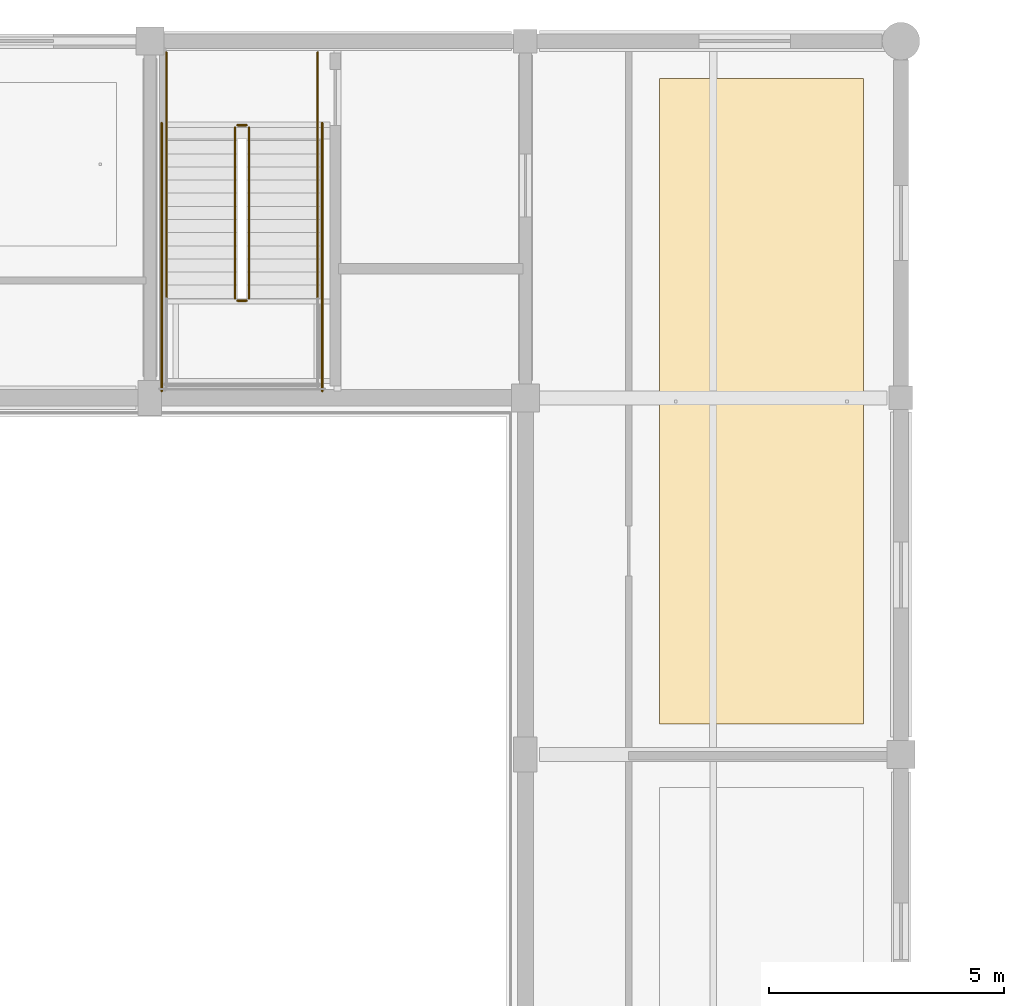
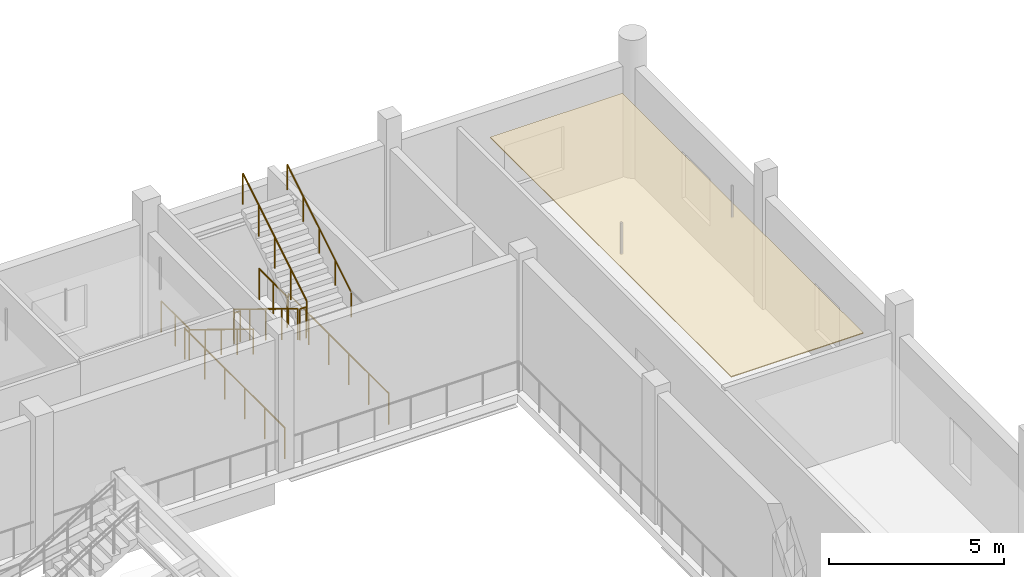
# One storey, part 141 of 147: 10 railings, 1 covering.
"""IFC4 building model written with IfcOpenShell, lengths in metres."""

from ifc_helpers import new_model, si_unit, direction, frame, origin, origin_2d, place, context, subcontext, project, spatial, polyline, circle, outline, extrude, material, layer, layer_set, type_object, element, save


model = new_model("IFC4")

# Units and contexts
model_context = context("Model", 3, precision=1e-05, world=origin(), true_north=direction((0.0, 1.0)))
body_context = subcontext(model_context, "Body", "Model", "MODEL_VIEW")
ifc_project = project(units=[si_unit("LENGTHUNIT", "METRE"), si_unit("AREAUNIT", "SQUARE_METRE"), si_unit("VOLUMEUNIT", "CUBIC_METRE"), si_unit("PLANEANGLEUNIT", "RADIAN"), si_unit("MASSUNIT", "GRAM", prefix="KILO")], contexts=[model_context])

# Site, building, storey
site_placement = place(None, origin())
site = spatial("IfcSite", under=ifc_project, at=site_placement, CompositionType="ELEMENT")
building_placement = place(site_placement, origin())
building = spatial("IfcBuilding", under=site, at=building_placement, Name="Khelvaren Railside Concert Hall", CompositionType="ELEMENT")
storey_placement = place(building_placement, frame((0.0, 0.0, 5.39990234375)))
storey = spatial("IfcBuildingStorey", under=building, at=storey_placement, Name="L01", CompositionType="ELEMENT", Elevation=5.39990234375)

# Covering
ifc_material_1 = material(Name="Micro-perforated timber acoustic ceiling", Category="wood")
ifc_layer = layer(ifc_material_1, 0.030029296875)
ifc_layer_set = layer_set([ifc_layer], Name="Micro-perforated timber acoustic ceiling")
covering_type = type_object("IfcCoveringType", Name="CLG77", PredefinedType="CEILING", material=ifc_layer_set)
covering_placement = place(storey_placement, frame((0.0, 0.0, 3.420166015625)))
element("IfcCovering", 1, at=covering_placement, inside=storey, type_object=covering_type, Name="Suspended Acoustic Ceiling Early-Music Manuscript Preparation Room L01", PredefinedType="CEILING", context=body_context, shape_type="SweptSolid", body=[
    extrude(outline(polyline([(42.85009765625, 99.449951171875), (47.199951171875, 99.449951171875), (47.199951171875, 113.199951171875), (42.85009765625, 113.199951171875), (42.85009765625, 99.449951171875)])), origin(), (0.0, 0.0, 1.0), 0.030029296875),
])

# Railings
ifc_material_2 = material(Name="Painted architectural steel", Category="steel")
railing_type_1 = type_object("IfcRailingType", Name="GRD86", PredefinedType="GUARDRAIL", material=ifc_material_2)
railing_1_placement = place(storey_placement, frame((33.81005859375, 112.159912109375, 0.171630859375)))
element("IfcRailing", 2, at=railing_1_placement, inside=storey, type_object=railing_type_1, Name="L01 ST-08 stair guard 1", PredefinedType="GUARDRAIL", context=body_context, shape_type="SweptSolid", body=[
    extrude(circle(Radius=0.02392578125, at=origin_2d()), frame((0.0, 0.0, 1.076171875), z_axis=(0.0, -0.852850264322, 0.5221555579), x_axis=(1.0, 0.0, 0.0)), (0.0, 0.0, 1.0), 4.267822265625),
    extrude(circle(Radius=0.02099609375, at=origin_2d()), origin(), (0.0, 0.0, 1.0), 1.052001953125),
    extrude(circle(Radius=0.02099609375, at=origin_2d()), frame((0.0, -0.909912109375, 0.55712890625)), (0.0, 0.0, 1.0), 1.052001953125),
    extrude(circle(Radius=0.02099609375, at=origin_2d()), frame((0.0, -1.81982421875, 1.1142578125)), (0.0, 0.0, 1.0), 1.052001953125),
    extrude(circle(Radius=0.02099609375, at=origin_2d()), frame((0.0, -2.72998046875, 1.67138671875)), (0.0, 0.0, 1.0), 1.052001953125),
    extrude(circle(Radius=0.02099609375, at=origin_2d()), frame((0.0, -3.639892578125, 2.228515625)), (0.0, 0.0, 1.0), 1.052001953125),
])
railing_2_placement = place(storey_placement, frame((33.860107421875, 108.469970703125, 2.400146484375)))
element("IfcRailing", 3, at=railing_2_placement, inside=storey, type_object=railing_type_1, Name="L01 ST-08 stair guard 2", PredefinedType="GUARDRAIL", context=body_context, shape_type="SweptSolid", body=[
    extrude(circle(Radius=0.02392578125, at=origin_2d()), frame((0.0, 0.0, 1.076171875), z_axis=(1.0, 0.0, 0.0), x_axis=(0.0, 1.0, 0.0)), (0.0, 0.0, 1.0), 0.199951171875),
    extrude(circle(Radius=0.02099609375, at=origin_2d()), origin(), (0.0, 0.0, 1.0), 1.052001953125),
    extrude(circle(Radius=0.02099609375, at=origin_2d()), frame((0.199951171875, 0.0, 0.0)), (0.0, 0.0, 1.0), 1.052001953125),
])
railing_3_placement = place(storey_placement, frame((34.110107421875, 108.52001953125, 2.571533203125)))
element("IfcRailing", 4, at=railing_3_placement, inside=storey, type_object=railing_type_1, Name="L01 ST-08 stair guard 6", PredefinedType="GUARDRAIL", context=body_context, shape_type="SweptSolid", body=[
    extrude(circle(Radius=0.02392578125, at=origin_2d()), frame((0.0, 0.0, 1.076171875), z_axis=(0.0, 0.852850264322, 0.5221555579), x_axis=(-1.0, 0.0, 0.0)), (0.0, 0.0, 1.0), 4.267822265625),
    extrude(circle(Radius=0.02099609375, at=origin_2d()), origin(), (0.0, 0.0, 1.0), 1.052001953125),
    extrude(circle(Radius=0.02099609375, at=origin_2d()), frame((0.0, 0.909912109375, 0.55712890625)), (0.0, 0.0, 1.0), 1.052001953125),
    extrude(circle(Radius=0.02099609375, at=origin_2d()), frame((0.0, 1.81982421875, 1.1142578125)), (0.0, 0.0, 1.0), 1.052001953125),
    extrude(circle(Radius=0.02099609375, at=origin_2d()), frame((0.0, 2.72998046875, 1.67138671875)), (0.0, 0.0, 1.0), 1.052001953125),
    extrude(circle(Radius=0.02099609375, at=origin_2d()), frame((0.0, 3.639892578125, 2.228515625)), (0.0, 0.0, 1.0), 1.052001953125),
])
railing_4_placement = place(storey_placement, frame((33.860107421875, 112.2099609375, 0.0)))
element("IfcRailing", 5, at=railing_4_placement, inside=storey, type_object=railing_type_1, Name="L01 ST-08 stair guard 7", PredefinedType="GUARDRAIL", context=body_context, shape_type="SweptSolid", body=[
    extrude(circle(Radius=0.02392578125, at=origin_2d()), frame((0.0, 0.0, 1.076171875), z_axis=(1.0, 0.0, 0.0), x_axis=(0.0, 1.0, 0.0)), (0.0, 0.0, 1.0), 0.199951171875),
    extrude(circle(Radius=0.02099609375, at=origin_2d()), origin(), (0.0, 0.0, 1.0), 1.052001953125),
    extrude(circle(Radius=0.02099609375, at=origin_2d()), frame((0.199951171875, 0.0, 0.0)), (0.0, 0.0, 1.0), 1.052001953125),
])
for number, where, name in (
    (6, (32.35009765625, 113.760009765625, 0.0), "L01 ST-08 stair guard 8"),
    (7, (35.570068359375, 113.760009765625, 0.0), "L01 ST-08 stair guard 9"),
):
    element("IfcRailing", number, at=place(storey_placement, frame(where)), inside=storey, type_object=railing_type_1, Name=name, PredefinedType="GUARDRAIL", context=body_context, shape_type="SweptSolid", body=[
        extrude(circle(Radius=0.02392578125, at=origin_2d()), frame((0.0, 0.0, 1.076171875), z_axis=(0.0, -1.0, 0.0), x_axis=(1.0, 0.0, 0.0)), (0.0, 0.0, 1.0), 1.60009765625),
        extrude(circle(Radius=0.02099609375, at=origin_2d()), origin(), (0.0, 0.0, 1.0), 1.052001953125),
        extrude(circle(Radius=0.02099609375, at=origin_2d()), frame((0.0, -0.800048828125, 0.0)), (0.0, 0.0, 1.0), 1.052001953125),
        extrude(circle(Radius=0.02099609375, at=origin_2d()), frame((0.0, -1.60009765625, 0.0)), (0.0, 0.0, 1.0), 1.052001953125),
    ])
for number, where, name in (
    (8, (32.25, 112.260009765625, 0.0), "L01 ST-08 stair guard 10"),
    (9, (35.669921875, 112.260009765625, 0.0), "L01 ST-08 stair guard 11"),
):
    element("IfcRailing", number, at=place(storey_placement, frame(where)), inside=storey, type_object=railing_type_1, Name=name, PredefinedType="GUARDRAIL", context=body_context, shape_type="SweptSolid", body=[
        extrude(circle(Radius=0.02392578125, at=origin_2d()), frame((0.0, 0.0, 1.076171875), z_axis=(0.0, -1.0, 0.0), x_axis=(1.0, 0.0, 0.0)), (0.0, 0.0, 1.0), 5.719970703125),
        extrude(circle(Radius=0.02099609375, at=origin_2d()), origin(), (0.0, 0.0, 1.0), 1.052001953125),
        extrude(circle(Radius=0.02099609375, at=origin_2d()), frame((0.0, -1.14404296875, 0.0)), (0.0, 0.0, 1.0), 1.052001953125),
        extrude(circle(Radius=0.02099609375, at=origin_2d()), frame((0.0, -2.2880859375, 0.0)), (0.0, 0.0, 1.0), 1.052001953125),
        extrude(circle(Radius=0.02099609375, at=origin_2d()), frame((0.0, -3.431884765625, 0.0)), (0.0, 0.0, 1.0), 1.052001953125),
        extrude(circle(Radius=0.02099609375, at=origin_2d()), frame((0.0, -4.575927734375, 0.0)), (0.0, 0.0, 1.0), 1.052001953125),
        extrude(circle(Radius=0.02099609375, at=origin_2d()), frame((0.0, -5.719970703125, 0.0)), (0.0, 0.0, 1.0), 1.052001953125),
    ])
ifc_material_3 = material(Name="Brushed stainless steel Grade 316", Category="steel")
railing_type_2 = type_object("IfcRailingType", Name="HRL59", PredefinedType="HANDRAIL", material=ifc_material_3)
railing_5_placement = place(storey_placement, frame((32.35009765625, 112.159912109375, 0.171630859375)))
element("IfcRailing", 10, at=railing_5_placement, inside=storey, type_object=railing_type_2, Name="L01 ST-08 stair handrail 1", PredefinedType="HANDRAIL", context=body_context, shape_type="SweptSolid", body=[
    extrude(circle(Radius=0.02392578125, at=origin_2d()), frame((0.0, 0.0, 0.8759765625), z_axis=(0.0, -0.852850264322, 0.5221555579), x_axis=(1.0, 0.0, 0.0)), (0.0, 0.0, 1.0), 4.267822265625),
    extrude(circle(Radius=0.02099609375, at=origin_2d()), origin(), (0.0, 0.0, 1.0), 0.851806640625),
    extrude(circle(Radius=0.02099609375, at=origin_2d()), frame((0.0, -0.909912109375, 0.55712890625)), (0.0, 0.0, 1.0), 0.851806640625),
    extrude(circle(Radius=0.02099609375, at=origin_2d()), frame((0.0, -1.81982421875, 1.1142578125)), (0.0, 0.0, 1.0), 0.851806640625),
    extrude(circle(Radius=0.02099609375, at=origin_2d()), frame((0.0, -2.72998046875, 1.67138671875)), (0.0, 0.0, 1.0), 0.851806640625),
    extrude(circle(Radius=0.02099609375, at=origin_2d()), frame((0.0, -3.639892578125, 2.228515625)), (0.0, 0.0, 1.0), 0.851806640625),
])
railing_6_placement = place(storey_placement, frame((35.570068359375, 108.52001953125, 2.571533203125)))
element("IfcRailing", 11, at=railing_6_placement, inside=storey, type_object=railing_type_2, Name="L01 ST-08 stair handrail 2", PredefinedType="HANDRAIL", context=body_context, shape_type="SweptSolid", body=[
    extrude(circle(Radius=0.02392578125, at=origin_2d()), frame((0.0, 0.0, 0.8759765625), z_axis=(0.0, 0.852850264322, 0.5221555579), x_axis=(-1.0, 0.0, 0.0)), (0.0, 0.0, 1.0), 4.267822265625),
    extrude(circle(Radius=0.02099609375, at=origin_2d()), origin(), (0.0, 0.0, 1.0), 0.851806640625),
    extrude(circle(Radius=0.02099609375, at=origin_2d()), frame((0.0, 0.909912109375, 0.55712890625)), (0.0, 0.0, 1.0), 0.851806640625),
    extrude(circle(Radius=0.02099609375, at=origin_2d()), frame((0.0, 1.81982421875, 1.1142578125)), (0.0, 0.0, 1.0), 0.851806640625),
    extrude(circle(Radius=0.02099609375, at=origin_2d()), frame((0.0, 2.72998046875, 1.67138671875)), (0.0, 0.0, 1.0), 0.851806640625),
    extrude(circle(Radius=0.02099609375, at=origin_2d()), frame((0.0, 3.639892578125, 2.228515625)), (0.0, 0.0, 1.0), 0.851806640625),
])

save(model, "model.ifc")
